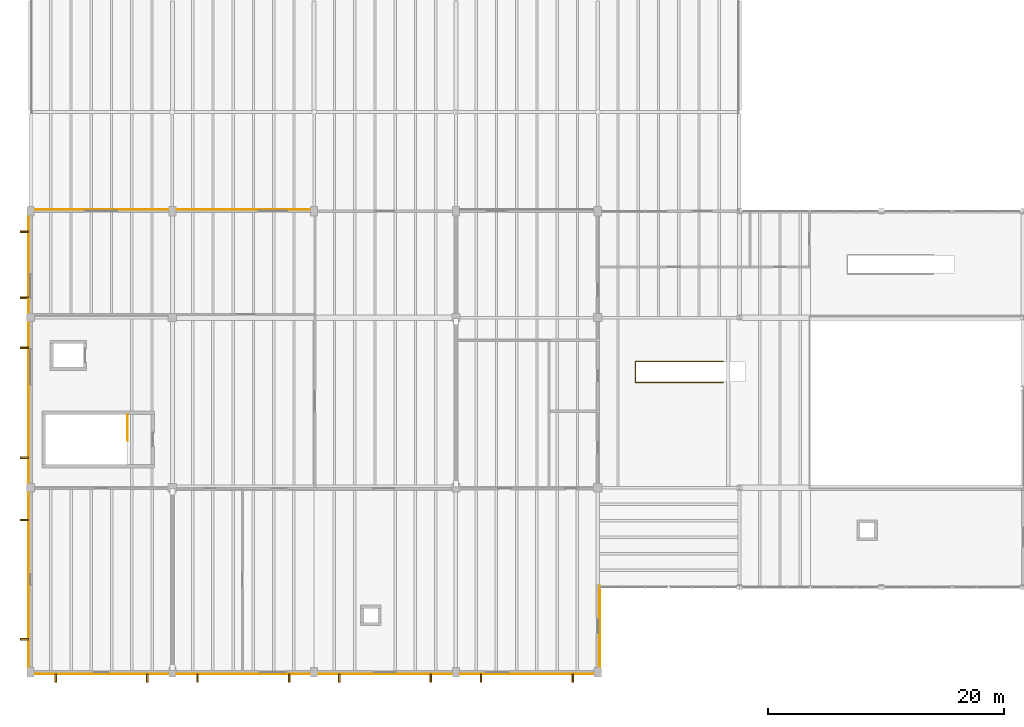
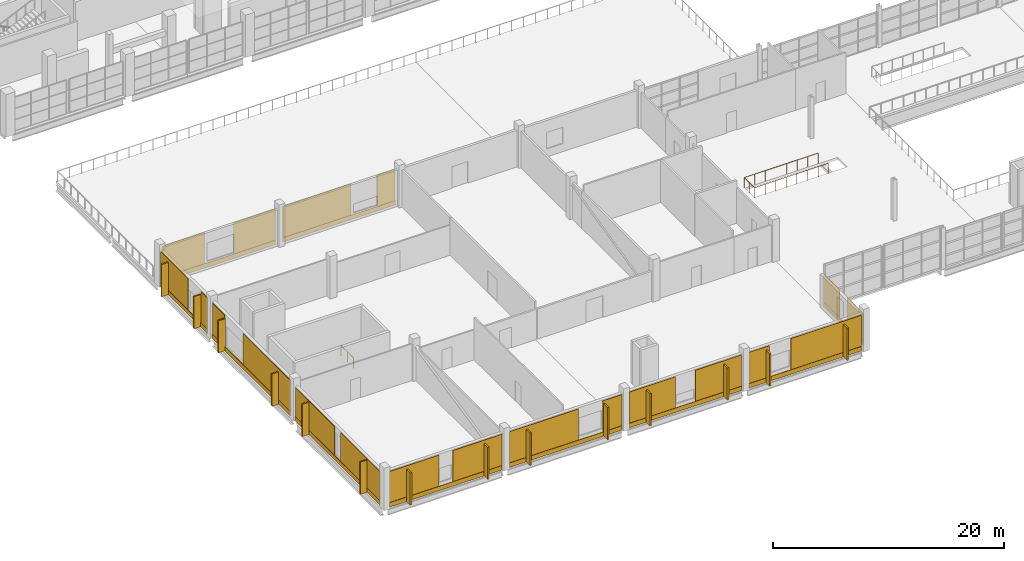
# One storey, part 65 of 78: 44 coverings, 14 shading devices, 2 railings.
"""IFC4 building model written with IfcOpenShell, lengths in metres."""

import ifcopenshell
import ifcopenshell.guid

model = None  # the IFC model being written
_history = None  # IfcOwnerHistory: only IFC2X3 demands one
_inside = {}  # id of a spatial element -> (the spatial element, [elements in it])
_under = {}  # id of a project, library or spatial element -> (it, [spatial elements below it])
_declared = {}  # id of a project -> (the project, [libraries it declares])
_typed = {}  # id of a type object -> (the type object, [elements of that type])
_made_of = {}  # id of a material, layer set ... -> (it, [elements and type objects made of it])


def new_model(schema):
    """Start an empty IFC model of exactly this schema.

    Asked for "IFC4X3", IfcOpenShell would pick the latest addendum, in which some entities
    have other attributes; the version numbers below select the first issue.
    IFC2X3 requires an IfcOwnerHistory on every rooted entity: one is made here for all.
    """
    global model, _history
    if schema == "IFC4X3":
        model = ifcopenshell.file(schema_version=(4, 3, 0, 0))
    else:
        model = ifcopenshell.file(schema=schema)
    _inside.clear()
    _under.clear()
    _declared.clear()
    _typed.clear()
    _made_of.clear()
    _history = None
    if model.schema == "IFC2X3":
        org = make("IfcOrganization", Name="unknown")
        user = make(
            "IfcPersonAndOrganization",
            ThePerson=make("IfcPerson", FamilyName="unknown"),
            TheOrganization=org,
        )
        app = make(
            "IfcApplication",
            ApplicationDeveloper=org,
            Version="unknown",
            ApplicationFullName="unknown",
            ApplicationIdentifier="unknown",
        )
        _history = make(
            "IfcOwnerHistory",
            OwningUser=user,
            OwningApplication=app,
            ChangeAction="ADDED",
            CreationDate=0,
        )
    return model


def make(cls, **values):
    """One entity of the class cls with the attributes given. An attribute that is None is left unset."""
    return model.create_entity(
        cls, **{name: value for name, value in values.items() if value is not None}
    )


def rooted(cls, **values):
    """An entity with a GlobalId (a new one), such as an element, a storey or a relation."""
    return make(cls, GlobalId=ifcopenshell.guid.new(), OwnerHistory=_history, **values)


def si_unit(unit_type, name, prefix=None):
    """IfcSIUnit, for example si_unit("LENGTHUNIT", "METRE", prefix="MILLI")."""
    return make("IfcSIUnit", UnitType=unit_type, Prefix=prefix, Name=name)


def assignment(units):
    """IfcUnitAssignment: the units of a project."""
    return None if units is None else make("IfcUnitAssignment", Units=units)


def point(xyz):
    """IfcCartesianPoint."""
    return None if xyz is None else make("IfcCartesianPoint", Coordinates=xyz)


def direction(xyz):
    """IfcDirection."""
    return None if xyz is None else make("IfcDirection", DirectionRatios=xyz)


def frame(location, z_axis=None, x_axis=None):
    """IfcAxis2Placement3D, a coordinate frame: its origin and axes. An axis left out is left unset."""
    return make(
        "IfcAxis2Placement3D",
        Location=point(location),
        Axis=direction(z_axis),
        RefDirection=direction(x_axis),
    )


def frame_2d(location, x_axis=None):
    """IfcAxis2Placement2D, a coordinate frame in the plane: its origin and x axis."""
    return make(
        "IfcAxis2Placement2D", Location=point(location), RefDirection=direction(x_axis)
    )


def origin():
    """The frame at (0, 0, 0) with its axes left unset."""
    return frame((0.0, 0.0, 0.0))


def origin_2d():
    """The frame at (0, 0) in the plane with its x axis left unset."""
    return frame_2d((0.0, 0.0))


def place(relative_to, where):
    """IfcLocalPlacement: puts the frame where relative to a parent placement (None: the world)."""
    return make(
        "IfcLocalPlacement", PlacementRelTo=relative_to, RelativePlacement=where
    )


def context(
    kind, dimensions, precision=None, world=None, true_north=None, identifier=None
):
    """IfcGeometricRepresentationContext, for example the 3D "Model" context."""
    return make(
        "IfcGeometricRepresentationContext",
        ContextIdentifier=identifier,
        ContextType=kind,
        CoordinateSpaceDimension=dimensions,
        Precision=precision,
        WorldCoordinateSystem=world,
        TrueNorth=true_north,
    )


def subcontext(parent, identifier, kind, view, scale=None):
    """IfcGeometricRepresentationSubContext, for example "Body" below "Model"."""
    return make(
        "IfcGeometricRepresentationSubContext",
        ContextIdentifier=identifier,
        ContextType=kind,
        ParentContext=parent,
        TargetScale=scale,
        TargetView=view,
    )


def project(units=None, contexts=None):
    """IfcProject with its units and contexts."""
    return rooted(
        "IfcProject",
        Name="project",
        RepresentationContexts=contexts,
        UnitsInContext=assignment(units),
    )


def spatial(cls, under=None, at=None, **own):
    """A site, building, storey or space (cls), placed at a placement, below another one or the project."""
    s = rooted(cls, ObjectPlacement=at, **own)
    if under is not None:
        _under.setdefault(under.id(), (under, []))[1].append(s)
    return s


def profile(cls, at=None, kind="AREA", **sizes):
    """A parametric profile (cls). Its sizes go by their IFC names, for example OverallWidth=200.0."""
    return make(cls, ProfileType=kind, Position=at, **sizes)


def rectangle(**sizes):
    """IfcRectangleProfileDef."""
    return profile("IfcRectangleProfileDef", **sizes)


def circle(**sizes):
    """IfcCircleProfileDef."""
    return profile("IfcCircleProfileDef", **sizes)


def extrude(swept, where, along, depth):
    """IfcExtrudedAreaSolid: the profile swept, set in the frame where, extruded along a direction by depth."""
    return make(
        "IfcExtrudedAreaSolid",
        SweptArea=swept,
        Position=where,
        ExtrudedDirection=direction(along),
        Depth=depth,
    )


def shape(context_of_items, identifier, shape_type, items):
    """IfcShapeRepresentation: the items that make up one representation, for example the "Body"."""
    return make(
        "IfcShapeRepresentation",
        ContextOfItems=context_of_items,
        RepresentationIdentifier=identifier,
        RepresentationType=shape_type,
        Items=items,
    )


def material(Name=None, Category=None):
    """IfcMaterial."""
    return make("IfcMaterial", Name=Name, Category=Category)


def layer(
    of_material, thickness, ventilated=None, Name=None, Category=None, Priority=None
):
    """IfcMaterialLayer: one layer of a wall or slab, of a material (None: an air gap)."""
    return make(
        "IfcMaterialLayer",
        Material=of_material,
        LayerThickness=thickness,
        IsVentilated=ventilated,
        Name=Name,
        Category=Category,
        Priority=Priority,
    )


def layer_set(layers, Name=None):
    """IfcMaterialLayerSet."""
    return make("IfcMaterialLayerSet", MaterialLayers=layers, LayerSetName=Name)


def made_of(thing, what):
    """Note that an element or type object is made of a material, layer set ...; save() writes the relation."""
    if what is not None:
        _made_of.setdefault(what.id(), (what, []))[1].append(thing)
    return thing


def type_object(cls, material=None, **own):
    """A type object (cls), such as IfcWallType, which elements share."""
    return made_of(rooted(cls, **own), material)


def element(
    cls,
    number,
    at=None,
    inside=None,
    cuts=None,
    type_object=None,
    material=None,
    context=None,
    identifier="Body",
    shape_type=None,
    held_by="IfcProductDefinitionShape",
    body=None,
    shapes=None,
    **own,
):
    """One element of the class cls, such as IfcWall. Its Tag is "e" and its number.

    at: its placement. inside: the storey or other place that contains it. cuts: it is an
    opening in that element (IfcRelVoidsElement). A single representation is given by context,
    identifier, shape_type and body (its items); several are given by shapes. held_by: the class
    of the entity that holds the representations. save() writes the other relations.
    """
    e = rooted(cls, Tag="e%d" % number, ObjectPlacement=at, **own)
    if body is not None:
        shapes = [shape(context, identifier, shape_type, body)]
    if shapes is not None:
        e.Representation = make(held_by, Representations=shapes)
    if inside is not None:
        _inside.setdefault(inside.id(), (inside, []))[1].append(e)
    if cuts is not None:
        rooted(
            "IfcRelVoidsElement", RelatingBuildingElement=cuts, RelatedOpeningElement=e
        )
    if type_object is not None:
        _typed.setdefault(type_object.id(), (type_object, []))[1].append(e)
    return made_of(e, material)


def aggregate(whole, parts):
    """IfcRelAggregates: a whole, such as a stair, and the parts it consists of."""
    return rooted("IfcRelAggregates", RelatingObject=whole, RelatedObjects=parts)


def save(model, path):
    """Write the relations noted so far, then the file.

    IfcRelAggregates (storeys below a building ...), IfcRelContainedInSpatialStructure (elements
    in a storey), IfcRelDefinesByType, IfcRelAssociatesMaterial and IfcRelDeclares: one each for
    every whole, place, type object, material and project.
    """
    for whole, parts in _under.values():
        aggregate(whole, parts)
    for where, things in _inside.values():
        rooted(
            "IfcRelContainedInSpatialStructure",
            RelatedElements=things,
            RelatingStructure=where,
        )
    for kind, things in _typed.values():
        rooted("IfcRelDefinesByType", RelatedObjects=things, RelatingType=kind)
    for what, things in _made_of.values():
        rooted("IfcRelAssociatesMaterial", RelatedObjects=things, RelatingMaterial=what)
    for by, libraries in _declared.values():
        rooted("IfcRelDeclares", RelatingContext=by, RelatedDefinitions=libraries)
    model.write(path)


model = new_model("IFC4")

# Units and contexts
model_context = context("Model", 3, precision=1e-05, world=origin(), true_north=direction((0.0, 1.0)))
body_context = subcontext(model_context, "Body", "Model", "MODEL_VIEW")
ifc_project = project(units=[si_unit("LENGTHUNIT", "METRE"), si_unit("AREAUNIT", "SQUARE_METRE"), si_unit("VOLUMEUNIT", "CUBIC_METRE"), si_unit("PLANEANGLEUNIT", "RADIAN"), si_unit("MASSUNIT", "GRAM", prefix="KILO")], contexts=[model_context])

# Site, building, storey
site_placement = place(None, origin())
site = spatial("IfcSite", under=ifc_project, at=site_placement, CompositionType="ELEMENT")
building_placement = place(site_placement, origin())
building = spatial("IfcBuilding", under=site, at=building_placement, Name="Kelmvaro Bay Concert Hall", CompositionType="ELEMENT")
storey_placement = place(building_placement, frame((0.0, 0.0, 9.300048828125)))
storey = spatial("IfcBuildingStorey", under=building, at=storey_placement, Name="L02", CompositionType="ELEMENT", Elevation=9.300048828125)

# Shading devices
ifc_material_1 = material(Name="Anodised Extruded Aluminium 6063-T6", Category="aluminium")
ifc_layer_1 = layer(ifc_material_1, 3.39990234375)
ifc_layer_set_1 = layer_set([ifc_layer_1], Name="Anodised Extruded Aluminium 6063-T6")
shading_device_type = type_object("IfcShadingDeviceType", Name="Bauhaus Vertical Solar Brise-Soleil Fin 720x3400", PredefinedType="SHUTTER", material=ifc_layer_set_1)
for number, where, z_axis, x_axis, name in (
    (1, (9.8759765625, -0.506103515625, 0.06005859375), (0.0, 0.0, 1.0), (-1.0, 0.0, 0.0), "L02 Solar Brise-Soleil Fin 114"),
    (2, (2.1240234375, -0.506103515625, 0.06005859375), (0.0, 0.0, 1.0), (-1.0, 0.0, 0.0), "L02 Solar Brise-Soleil Fin 115"),
    (3, (21.8759765625, -0.506103515625, 0.06005859375), (0.0, 0.0, 1.0), (-1.0, 0.0, 0.0), "L02 Solar Brise-Soleil Fin 116"),
    (4, (14.1240234375, -0.506103515625, 0.06005859375), (0.0, 0.0, 1.0), (-1.0, 0.0, 0.0), "L02 Solar Brise-Soleil Fin 117"),
    (5, (33.8759765625, -0.506103515625, 0.06005859375), (0.0, 0.0, 1.0), (-1.0, 0.0, 0.0), "L02 Solar Brise-Soleil Fin 118"),
    (6, (26.1240234375, -0.506103515625, 0.06005859375), (0.0, 0.0, 1.0), (-1.0, 0.0, 0.0), "L02 Solar Brise-Soleil Fin 119"),
    (7, (45.8759765625, -0.506103515625, 0.06005859375), (0.0, 0.0, 1.0), (-1.0, 0.0, 0.0), "L02 Solar Brise-Soleil Fin 120"),
    (8, (38.1240234375, -0.506103515625, 0.06005859375), (0.0, 0.0, 1.0), (-1.0, 0.0, 0.0), "L02 Solar Brise-Soleil Fin 121"),
    (9, (-0.506103515625, 2.77587890625, 0.06005859375), (0.0, 0.0, 1.0), (0.0, 1.0, 0.0), "L02 Solar Brise-Soleil Fin 122"),
    (10, (-0.506103515625, 12.8740234375, 0.06005859375), (0.0, 0.0, 1.0), (0.0, 1.0, 0.0), "L02 Solar Brise-Soleil Fin 123"),
    (11, (-0.506103515625, 18.14208984375, 0.06005859375), (0.0, 0.0, 1.0), (0.0, 1.0, 0.0), "L02 Solar Brise-Soleil Fin 124"),
    (12, (-0.506103515625, 27.4580078125, 0.06005859375), (0.0, 0.0, 1.0), (0.0, 1.0, 0.0), "L02 Solar Brise-Soleil Fin 125"),
    (13, (-0.506103515625, 31.669921875, 0.06005859375), (0.0, 0.0, 1.0), (0.0, 1.0, 0.0), "L02 Solar Brise-Soleil Fin 126"),
    (14, (-0.506103515625, 37.280029296875, 0.06005859375), (0.0, 0.0, 1.0), (0.0, 1.0, 0.0), "L02 Solar Brise-Soleil Fin 127"),
):
    element("IfcShadingDevice", number, at=place(storey_placement, frame(where, z_axis=z_axis, x_axis=x_axis)), inside=storey, type_object=shading_device_type, Name=name, PredefinedType="SHUTTER", context=body_context, shape_type="SweptSolid", body=[
        extrude(rectangle(XDim=0.159912109375, YDim=0.719970703125, at=origin_2d()), origin(), (0.0, 0.0, 1.0), 3.39990234375),
    ])

# Coverings
ifc_material_2 = material(Name="PVDF-Coated Architectural Aluminium", Category="aluminium")
ifc_layer_2 = layer(ifc_material_2, 0.0400390625)
ifc_layer_set_2 = layer_set([ifc_layer_2], Name="PVDF-Coated Architectural Aluminium")
covering_type_1 = type_object("IfcCoveringType", Name="De Stijl Enamelled Aluminium Fascia Panel 40", PredefinedType="CLADDING", material=ifc_layer_set_2)
for number, where, z_axis, x_axis, name in (
    (15, (9.8759765625, -0.506103515625, 0.06005859375), (0.0, 0.0, 1.0), (-1.0, 0.0, 0.0), "L02 Architectural Vertical Fin Cladding 0566"),
    (16, (2.1240234375, -0.506103515625, 0.06005859375), (0.0, 0.0, 1.0), (-1.0, 0.0, 0.0), "L02 Architectural Vertical Fin Cladding 0567"),
    (17, (21.8759765625, -0.506103515625, 0.06005859375), (0.0, 0.0, 1.0), (-1.0, 0.0, 0.0), "L02 Architectural Vertical Fin Cladding 0574"),
    (18, (14.1240234375, -0.506103515625, 0.06005859375), (0.0, 0.0, 1.0), (-1.0, 0.0, 0.0), "L02 Architectural Vertical Fin Cladding 0575"),
    (19, (33.8759765625, -0.506103515625, 0.06005859375), (0.0, 0.0, 1.0), (-1.0, 0.0, 0.0), "L02 Architectural Vertical Fin Cladding 0582"),
    (20, (26.1240234375, -0.506103515625, 0.06005859375), (0.0, 0.0, 1.0), (-1.0, 0.0, 0.0), "L02 Architectural Vertical Fin Cladding 0583"),
    (21, (45.8759765625, -0.506103515625, 0.06005859375), (0.0, 0.0, 1.0), (-1.0, 0.0, 0.0), "L02 Architectural Vertical Fin Cladding 0587"),
    (22, (38.1240234375, -0.506103515625, 0.06005859375), (0.0, 0.0, 1.0), (-1.0, 0.0, 0.0), "L02 Architectural Vertical Fin Cladding 0588"),
    (23, (-0.506103515625, 2.77587890625, 0.06005859375), (0.0, 0.0, 1.0), (0.0, 1.0, 0.0), "L02 Architectural Vertical Fin Cladding 0595"),
    (24, (-0.506103515625, 12.8740234375, 0.06005859375), (0.0, 0.0, 1.0), (0.0, 1.0, 0.0), "L02 Architectural Vertical Fin Cladding 0596"),
    (25, (-0.506103515625, 18.14208984375, 0.06005859375), (0.0, 0.0, 1.0), (0.0, 1.0, 0.0), "L02 Architectural Vertical Fin Cladding 0603"),
    (26, (-0.506103515625, 27.4580078125, 0.06005859375), (0.0, 0.0, 1.0), (0.0, 1.0, 0.0), "L02 Architectural Vertical Fin Cladding 0604"),
    (27, (-0.506103515625, 31.669921875, 0.06005859375), (0.0, 0.0, 1.0), (0.0, 1.0, 0.0), "L02 Architectural Vertical Fin Cladding 0608"),
    (28, (-0.506103515625, 37.280029296875, 0.06005859375), (0.0, 0.0, 1.0), (0.0, 1.0, 0.0), "L02 Architectural Vertical Fin Cladding 0609"),
):
    element("IfcCovering", number, at=place(storey_placement, frame(where, z_axis=z_axis, x_axis=x_axis)), inside=storey, type_object=covering_type_1, Name=name, PredefinedType="CLADDING", context=body_context, shape_type="SweptSolid", body=[
        extrude(rectangle(XDim=0.139892578125, YDim=0.699951171875, at=origin_2d()), origin(), (0.0, 0.0, 1.0), 3.39990234375),
    ])
ifc_material_3 = material(Name="Honed Florida Limestone Travertine", Category="masonry")
ifc_layer_3 = layer(ifc_material_3, 0.054931640625)
ifc_layer_set_3 = layer_set([ifc_layer_3], Name="Honed Florida Limestone Travertine")
covering_type_2 = type_object("IfcCoveringType", Name="Honed Florida Travertine Rainscreen Cladding 55", PredefinedType="CLADDING", material=ifc_layer_set_3)
covering_1_placement = place(storey_placement, frame((6.0, -0.175537109375, 0.0400390625), z_axis=(0.0, 0.0, 1.0), x_axis=(-1.0, 0.0, 0.0)))
element("IfcCovering", 29, at=covering_1_placement, inside=storey, type_object=covering_type_2, Name="L02 Travertine Sill Band 0565", PredefinedType="CLADDING", context=body_context, shape_type="SweptSolid", body=[
    extrude(rectangle(XDim=11.280029296875, YDim=0.054931640625, at=origin_2d()), origin(), (0.0, 0.0, 1.0), 0.4599609375),
])
for number, where, z_axis, x_axis, name in (
    (30, (9.159912109375, -0.175537109375, 0.52001953125), (0.0, 0.0, 1.0), (-1.0, 0.0, 0.0), "L02 Travertine Pier Panel 0568"),
    (31, (2.840087890625, -0.175537109375, 0.52001953125), (0.0, 0.0, 1.0), (-1.0, 0.0, 0.0), "L02 Travertine Pier Panel 0569"),
):
    element("IfcCovering", number, at=place(storey_placement, frame(where, z_axis=z_axis, x_axis=x_axis)), inside=storey, type_object=covering_type_2, Name=name, PredefinedType="CLADDING", context=body_context, shape_type="SweptSolid", body=[
        extrude(rectangle(XDim=4.919921875, YDim=0.054931640625, at=origin_2d()), origin(), (0.0, 0.0, 1.0), 3.29296875),
    ])
covering_2_placement = place(storey_placement, frame((6.0, 39.1455078125, 0.0400390625), z_axis=(0.0, 0.0, 1.0), x_axis=(1.0, 0.0, 0.0)))
element("IfcCovering", 32, at=covering_2_placement, inside=storey, type_object=covering_type_2, Name="L02 Travertine Sill Band 0570", PredefinedType="CLADDING", context=body_context, shape_type="SweptSolid", body=[
    extrude(rectangle(XDim=11.280029296875, YDim=0.054931640625, at=origin_2d()), origin(), (0.0, 0.0, 1.0), 0.4599609375),
])
for number, where, z_axis, x_axis, name in (
    (33, (2.465087890625, 39.1455078125, 0.52001953125), (0.0, 0.0, 1.0), (1.0, 0.0, 0.0), "L02 Travertine Pier Panel 0571"),
    (34, (9.534912109375, 39.1455078125, 0.52001953125), (0.0, 0.0, 1.0), (1.0, 0.0, 0.0), "L02 Travertine Pier Panel 0572"),
):
    element("IfcCovering", number, at=place(storey_placement, frame(where, z_axis=z_axis, x_axis=x_axis)), inside=storey, type_object=covering_type_2, Name=name, PredefinedType="CLADDING", context=body_context, shape_type="SweptSolid", body=[
        extrude(rectangle(XDim=4.169921875, YDim=0.054931640625, at=origin_2d()), origin(), (0.0, 0.0, 1.0), 3.29296875),
    ])
covering_3_placement = place(storey_placement, frame((18.0, -0.175537109375, 0.0400390625), z_axis=(0.0, 0.0, 1.0), x_axis=(-1.0, 0.0, 0.0)))
element("IfcCovering", 35, at=covering_3_placement, inside=storey, type_object=covering_type_2, Name="L02 Travertine Sill Band 0573", PredefinedType="CLADDING", context=body_context, shape_type="SweptSolid", body=[
    extrude(rectangle(XDim=11.280029296875, YDim=0.054931640625, at=origin_2d()), origin(), (0.0, 0.0, 1.0), 0.4599609375),
])
covering_4_placement = place(storey_placement, frame((22.676513671875, -0.175537109375, 0.52001953125), z_axis=(0.0, 0.0, 1.0), x_axis=(-1.0, 0.0, 0.0)))
element("IfcCovering", 36, at=covering_4_placement, inside=storey, type_object=covering_type_2, Name="L02 Travertine Pier Panel 0576", PredefinedType="CLADDING", context=body_context, shape_type="SweptSolid", body=[
    extrude(rectangle(XDim=1.886962890625, YDim=0.054931640625, at=origin_2d()), origin(), (0.0, 0.0, 1.0), 3.29296875),
])
covering_5_placement = place(storey_placement, frame((15.83154296875, -0.175537109375, 0.52001953125), z_axis=(0.0, 0.0, 1.0), x_axis=(-1.0, 0.0, 0.0)))
element("IfcCovering", 37, at=covering_5_placement, inside=storey, type_object=covering_type_2, Name="L02 Travertine Pier Panel 0577", PredefinedType="CLADDING", context=body_context, shape_type="SweptSolid", body=[
    extrude(rectangle(XDim=6.903076171875, YDim=0.054931640625, at=origin_2d()), origin(), (0.0, 0.0, 1.0), 3.29296875),
])
covering_6_placement = place(storey_placement, frame((18.0, 39.1455078125, 0.0400390625), z_axis=(0.0, 0.0, 1.0), x_axis=(1.0, 0.0, 0.0)))
element("IfcCovering", 38, at=covering_6_placement, inside=storey, type_object=covering_type_2, Name="L02 Travertine Sill Band 0578", PredefinedType="CLADDING", context=body_context, shape_type="SweptSolid", body=[
    extrude(rectangle(XDim=11.280029296875, YDim=0.054931640625, at=origin_2d()), origin(), (0.0, 0.0, 1.0), 0.4599609375),
])
covering_7_placement = place(storey_placement, frame((15.7939453125, 39.1455078125, 0.52001953125), z_axis=(0.0, 0.0, 1.0), x_axis=(1.0, 0.0, 0.0)))
element("IfcCovering", 39, at=covering_7_placement, inside=storey, type_object=covering_type_2, Name="L02 Travertine Pier Panel 0579", PredefinedType="CLADDING", context=body_context, shape_type="SweptSolid", body=[
    extrude(rectangle(XDim=6.827880859375, YDim=0.054931640625, at=origin_2d()), origin(), (0.0, 0.0, 1.0), 3.29296875),
])
covering_8_placement = place(storey_placement, frame((22.714111328125, 39.1455078125, 0.52001953125), z_axis=(0.0, 0.0, 1.0), x_axis=(1.0, 0.0, 0.0)))
element("IfcCovering", 40, at=covering_8_placement, inside=storey, type_object=covering_type_2, Name="L02 Travertine Pier Panel 0580", PredefinedType="CLADDING", context=body_context, shape_type="SweptSolid", body=[
    extrude(rectangle(XDim=1.81201171875, YDim=0.054931640625, at=origin_2d()), origin(), (0.0, 0.0, 1.0), 3.29296875),
])
covering_9_placement = place(storey_placement, frame((30.0, -0.175537109375, 0.0400390625), z_axis=(0.0, 0.0, 1.0), x_axis=(-1.0, 0.0, 0.0)))
element("IfcCovering", 41, at=covering_9_placement, inside=storey, type_object=covering_type_2, Name="L02 Travertine Sill Band 0581", PredefinedType="CLADDING", context=body_context, shape_type="SweptSolid", body=[
    extrude(rectangle(XDim=11.280029296875, YDim=0.054931640625, at=origin_2d()), origin(), (0.0, 0.0, 1.0), 0.4599609375),
])
for number, where, z_axis, x_axis, name in (
    (42, (33.31005859375, -0.175537109375, 0.52001953125), (0.0, 0.0, 1.0), (-1.0, 0.0, 0.0), "L02 Travertine Pier Panel 0584"),
    (43, (26.68994140625, -0.175537109375, 0.52001953125), (0.0, 0.0, 1.0), (-1.0, 0.0, 0.0), "L02 Travertine Pier Panel 0585"),
):
    element("IfcCovering", number, at=place(storey_placement, frame(where, z_axis=z_axis, x_axis=x_axis)), inside=storey, type_object=covering_type_2, Name=name, PredefinedType="CLADDING", context=body_context, shape_type="SweptSolid", body=[
        extrude(rectangle(XDim=4.6201171875, YDim=0.054931640625, at=origin_2d()), origin(), (0.0, 0.0, 1.0), 3.29296875),
    ])
covering_10_placement = place(storey_placement, frame((42.0, -0.175537109375, 0.0400390625), z_axis=(0.0, 0.0, 1.0), x_axis=(-1.0, 0.0, 0.0)))
element("IfcCovering", 44, at=covering_10_placement, inside=storey, type_object=covering_type_2, Name="L02 Travertine Sill Band 0586", PredefinedType="CLADDING", context=body_context, shape_type="SweptSolid", body=[
    extrude(rectangle(XDim=11.280029296875, YDim=0.054931640625, at=origin_2d()), origin(), (0.0, 0.0, 1.0), 0.4599609375),
])
covering_11_placement = place(storey_placement, frame((44.093505859375, -0.175537109375, 0.52001953125), z_axis=(0.0, 0.0, 1.0), x_axis=(-1.0, 0.0, 0.0)))
element("IfcCovering", 45, at=covering_11_placement, inside=storey, type_object=covering_type_2, Name="L02 Travertine Pier Panel 0589", PredefinedType="CLADDING", context=body_context, shape_type="SweptSolid", body=[
    extrude(rectangle(XDim=7.052978515625, YDim=0.054931640625, at=origin_2d()), origin(), (0.0, 0.0, 1.0), 3.29296875),
])
covering_12_placement = place(storey_placement, frame((37.3984375, -0.175537109375, 0.52001953125), z_axis=(0.0, 0.0, 1.0), x_axis=(-1.0, 0.0, 0.0)))
element("IfcCovering", 46, at=covering_12_placement, inside=storey, type_object=covering_type_2, Name="L02 Travertine Pier Panel 0590", PredefinedType="CLADDING", context=body_context, shape_type="SweptSolid", body=[
    extrude(rectangle(XDim=2.037109375, YDim=0.054931640625, at=origin_2d()), origin(), (0.0, 0.0, 1.0), 3.29296875),
])
covering_13_placement = place(storey_placement, frame((-0.175537109375, 7.824951171875, 0.0400390625), z_axis=(0.0, 0.0, 1.0), x_axis=(0.0, 1.0, 0.0)))
element("IfcCovering", 47, at=covering_13_placement, inside=storey, type_object=covering_type_2, Name="L02 Travertine Sill Band 0594", PredefinedType="CLADDING", context=body_context, shape_type="SweptSolid", body=[
    extrude(rectangle(XDim=14.72998046875, YDim=0.054931640625, at=origin_2d()), origin(), (0.0, 0.0, 1.0), 0.4599609375),
])
for number, where, z_axis, x_axis, name in (
    (48, (-0.175537109375, 3.889892578125, 0.52001953125), (0.0, 0.0, 1.0), (0.0, 1.0, 0.0), "L02 Travertine Pier Panel 0597"),
    (49, (-0.175537109375, 11.760009765625, 0.52001953125), (0.0, 0.0, 1.0), (0.0, 1.0, 0.0), "L02 Travertine Pier Panel 0598"),
):
    element("IfcCovering", number, at=place(storey_placement, frame(where, z_axis=z_axis, x_axis=x_axis)), inside=storey, type_object=covering_type_2, Name=name, PredefinedType="CLADDING", context=body_context, shape_type="SweptSolid", body=[
        extrude(rectangle(XDim=6.820068359375, YDim=0.054931640625, at=origin_2d()), origin(), (0.0, 0.0, 1.0), 3.053955078125),
    ])
covering_14_placement = place(storey_placement, frame((48.175537109375, 3.875, 0.0400390625), z_axis=(0.0, 0.0, 1.0), x_axis=(0.0, -1.0, 0.0)))
element("IfcCovering", 50, at=covering_14_placement, inside=storey, type_object=covering_type_2, Name="L02 Travertine Sill Band 0599", PredefinedType="CLADDING", context=body_context, shape_type="SweptSolid", body=[
    extrude(rectangle(XDim=6.830078125, YDim=0.054931640625, at=origin_2d()), origin(), (0.0, 0.0, 1.0), 0.4599609375),
])
for number, where, z_axis, x_axis, name in (
    (51, (48.175537109375, 5.8974609375, 0.52001953125), (0.0, 0.0, 1.0), (0.0, -1.0, 0.0), "L02 Travertine Pier Panel 0600"),
    (52, (48.175537109375, 1.8525390625, 0.52001953125), (0.0, 0.0, 1.0), (0.0, -1.0, 0.0), "L02 Travertine Pier Panel 0601"),
):
    element("IfcCovering", number, at=place(storey_placement, frame(where, z_axis=z_axis, x_axis=x_axis)), inside=storey, type_object=covering_type_2, Name=name, PredefinedType="CLADDING", context=body_context, shape_type="SweptSolid", body=[
        extrude(rectangle(XDim=2.7451171875, YDim=0.054931640625, at=origin_2d()), origin(), (0.0, 0.0, 1.0), 2.924072265625),
    ])
covering_15_placement = place(storey_placement, frame((-0.175537109375, 22.800048828125, 0.0400390625), z_axis=(0.0, 0.0, 1.0), x_axis=(0.0, 1.0, 0.0)))
element("IfcCovering", 53, at=covering_15_placement, inside=storey, type_object=covering_type_2, Name="L02 Travertine Sill Band 0602", PredefinedType="CLADDING", context=body_context, shape_type="SweptSolid", body=[
    extrude(rectangle(XDim=13.580078125, YDim=0.054931640625, at=origin_2d()), origin(), (0.0, 0.0, 1.0), 0.4599609375),
])
covering_16_placement = place(storey_placement, frame((-0.175537109375, 20.1220703125, 0.52001953125), z_axis=(0.0, 0.0, 1.0), x_axis=(0.0, 1.0, 0.0)))
element("IfcCovering", 54, at=covering_16_placement, inside=storey, type_object=covering_type_2, Name="L02 Travertine Pier Panel 0605", PredefinedType="CLADDING", context=body_context, shape_type="SweptSolid", body=[
    extrude(rectangle(XDim=8.18408203125, YDim=0.054931640625, at=origin_2d()), origin(), (0.0, 0.0, 1.0), 3.2890625),
])
covering_17_placement = place(storey_placement, frame((-0.175537109375, 28.491943359375, 0.52001953125), z_axis=(0.0, 0.0, 1.0), x_axis=(0.0, 1.0, 0.0)))
element("IfcCovering", 55, at=covering_17_placement, inside=storey, type_object=covering_type_2, Name="L02 Travertine Pier Panel 0606", PredefinedType="CLADDING", context=body_context, shape_type="SweptSolid", body=[
    extrude(rectangle(XDim=2.156005859375, YDim=0.054931640625, at=origin_2d()), origin(), (0.0, 0.0, 1.0), 3.2890625),
])
covering_18_placement = place(storey_placement, frame((-0.175537109375, 34.47509765625, 0.0400390625), z_axis=(0.0, 0.0, 1.0), x_axis=(0.0, 1.0, 0.0)))
element("IfcCovering", 56, at=covering_18_placement, inside=storey, type_object=covering_type_2, Name="L02 Travertine Sill Band 0607", PredefinedType="CLADDING", context=body_context, shape_type="SweptSolid", body=[
    extrude(rectangle(XDim=8.1298828125, YDim=0.054931640625, at=origin_2d()), origin(), (0.0, 0.0, 1.0), 0.4599609375),
])
covering_19_placement = place(storey_placement, frame((-0.175537109375, 30.9951171875, 0.52001953125), z_axis=(0.0, 0.0, 1.0), x_axis=(0.0, 1.0, 0.0)))
element("IfcCovering", 57, at=covering_19_placement, inside=storey, type_object=covering_type_2, Name="L02 Travertine Pier Panel 0610", PredefinedType="CLADDING", context=body_context, shape_type="SweptSolid", body=[
    extrude(rectangle(XDim=1.1298828125, YDim=0.054931640625, at=origin_2d()), origin(), (0.0, 0.0, 1.0), 3.2890625),
])
covering_20_placement = place(storey_placement, frame((-0.175537109375, 36.139892578125, 0.52001953125), z_axis=(0.0, 0.0, 1.0), x_axis=(0.0, 1.0, 0.0)))
element("IfcCovering", 58, at=covering_20_placement, inside=storey, type_object=covering_type_2, Name="L02 Travertine Pier Panel 0611", PredefinedType="CLADDING", context=body_context, shape_type="SweptSolid", body=[
    extrude(rectangle(XDim=4.760009765625, YDim=0.054931640625, at=origin_2d()), origin(), (0.0, 0.0, 1.0), 3.2890625),
])

# Railings
ifc_material_4 = material(Name="Powder-Coated Steel ASTM A500", Category="steel")
railing_type = type_object("IfcRailingType", Name="Stair Well Painted Steel Guard 1100", PredefinedType="BALUSTRADE", material=ifc_material_4)
railing_1_placement = place(storey_placement, frame((8.199951171875, 21.800048828125, 0.0)))
element("IfcRailing", 59, at=railing_1_placement, inside=storey, type_object=railing_type, Name="L02 ST-08 top well guard 1", PredefinedType="BALUSTRADE", context=body_context, shape_type="SweptSolid", body=[
    extrude(circle(Radius=0.02392578125, at=origin_2d()), frame((0.0, 0.0, 1.076171875), z_axis=(0.0, -1.0, 0.0), x_axis=(1.0, 0.0, 0.0)), (0.0, 0.0, 1.0), 2.199951171875),
    extrude(circle(Radius=0.02099609375, at=origin_2d()), origin(), (0.0, 0.0, 1.0), 1.052001953125),
    extrude(circle(Radius=0.02099609375, at=origin_2d()), frame((0.0, -1.10009765625, 0.0)), (0.0, 0.0, 1.0), 1.052001953125),
    extrude(circle(Radius=0.02099609375, at=origin_2d()), frame((0.0, -2.199951171875, 0.0)), (0.0, 0.0, 1.0), 1.052001953125),
])
railing_2_placement = place(storey_placement, frame((58.60009765625, 24.510009765625, 0.0)))
element("IfcRailing", 60, at=railing_2_placement, inside=storey, type_object=railing_type, Name="L02 Feature Stair FS-02 Well Guard", PredefinedType="BALUSTRADE", context=body_context, shape_type="SweptSolid", body=[
    extrude(circle(Radius=0.02392578125, at=origin_2d()), frame((0.0, 0.0, 1.076171875), z_axis=(-1.0, 0.0, 0.0), x_axis=(0.0, -1.0, 0.0)), (0.0, 0.0, 1.0), 7.420166015625),
    extrude(circle(Radius=0.02392578125, at=origin_2d()), frame((-7.420166015625, 0.0, 1.076171875), z_axis=(0.0, 1.0, 0.0), x_axis=(-1.0, 0.0, 0.0)), (0.0, 0.0, 1.0), 1.780029296875),
    extrude(circle(Radius=0.02392578125, at=origin_2d()), frame((-7.420166015625, 1.780029296875, 1.076171875), z_axis=(1.0, 0.0, 0.0), x_axis=(0.0, 1.0, 0.0)), (0.0, 0.0, 1.0), 7.420166015625),
    extrude(circle(Radius=0.02099609375, at=origin_2d()), origin(), (0.0, 0.0, 1.0), 1.052001953125),
    extrude(circle(Radius=0.02099609375, at=origin_2d()), frame((-1.06005859375, 0.0, 0.0)), (0.0, 0.0, 1.0), 1.052001953125),
    extrude(circle(Radius=0.02099609375, at=origin_2d()), frame((-2.1201171875, 0.0, 0.0)), (0.0, 0.0, 1.0), 1.052001953125),
    extrude(circle(Radius=0.02099609375, at=origin_2d()), frame((-3.18017578125, 0.0, 0.0)), (0.0, 0.0, 1.0), 1.052001953125),
    extrude(circle(Radius=0.02099609375, at=origin_2d()), frame((-4.239990234375, 0.0, 0.0)), (0.0, 0.0, 1.0), 1.052001953125),
    extrude(circle(Radius=0.02099609375, at=origin_2d()), frame((-5.300048828125, 0.0, 0.0)), (0.0, 0.0, 1.0), 1.052001953125),
    extrude(circle(Radius=0.02099609375, at=origin_2d()), frame((-6.360107421875, 0.0, 0.0)), (0.0, 0.0, 1.0), 1.052001953125),
    extrude(circle(Radius=0.02099609375, at=origin_2d()), frame((-7.420166015625, 0.0, 0.0)), (0.0, 0.0, 1.0), 1.052001953125),
    extrude(circle(Radius=0.02099609375, at=origin_2d()), frame((-7.420166015625, 0.89013671875, 0.0)), (0.0, 0.0, 1.0), 1.052001953125),
    extrude(circle(Radius=0.02099609375, at=origin_2d()), frame((-7.420166015625, 1.780029296875, 0.0)), (0.0, 0.0, 1.0), 1.052001953125),
    extrude(circle(Radius=0.02099609375, at=origin_2d()), frame((-6.360107421875, 1.780029296875, 0.0)), (0.0, 0.0, 1.0), 1.052001953125),
    extrude(circle(Radius=0.02099609375, at=origin_2d()), frame((-5.300048828125, 1.780029296875, 0.0)), (0.0, 0.0, 1.0), 1.052001953125),
    extrude(circle(Radius=0.02099609375, at=origin_2d()), frame((-4.239990234375, 1.780029296875, 0.0)), (0.0, 0.0, 1.0), 1.052001953125),
    extrude(circle(Radius=0.02099609375, at=origin_2d()), frame((-3.18017578125, 1.780029296875, 0.0)), (0.0, 0.0, 1.0), 1.052001953125),
    extrude(circle(Radius=0.02099609375, at=origin_2d()), frame((-2.1201171875, 1.780029296875, 0.0)), (0.0, 0.0, 1.0), 1.052001953125),
    extrude(circle(Radius=0.02099609375, at=origin_2d()), frame((-1.06005859375, 1.780029296875, 0.0)), (0.0, 0.0, 1.0), 1.052001953125),
    extrude(circle(Radius=0.02099609375, at=origin_2d()), frame((0.0, 1.780029296875, 0.0)), (0.0, 0.0, 1.0), 1.052001953125),
])

save(model, "model.ifc")
